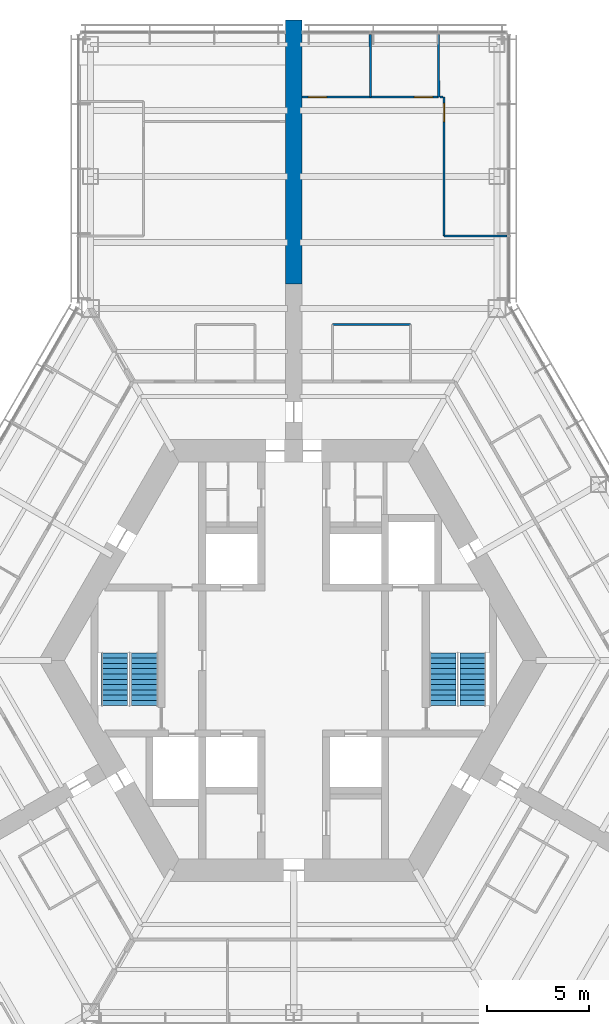
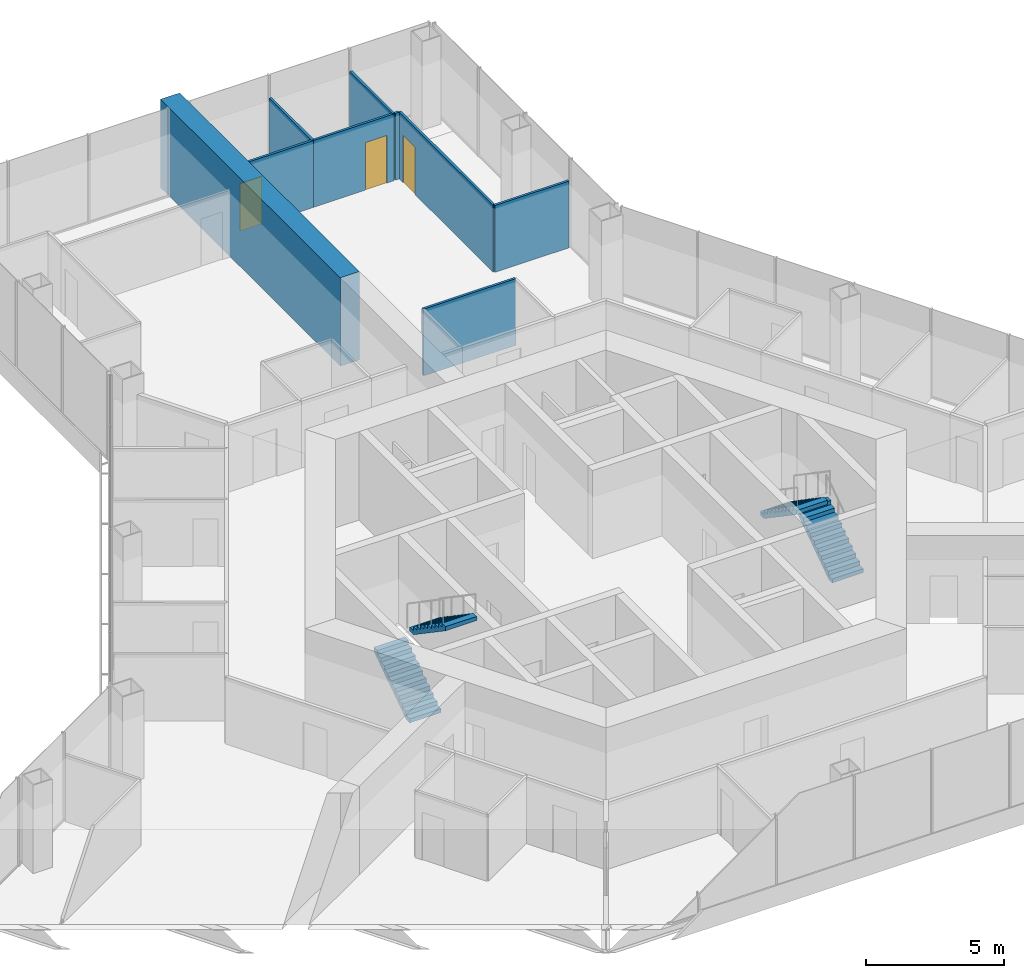
# One storey, part 16 of 19: 9 walls, 4 stair flights, 3 doors, 3 openings, 2 elements without a shape of their own.
"""IFC4 building model written with IfcOpenShell, lengths in metres."""

from ifc_helpers import new_model, si_unit, direction, frame, frame_2d, origin, place, context, subcontext, project, spatial, polyline, rectangle, outline, extrude, material, layer, layer_set, type_object, element, fill, aggregate, save


model = new_model("IFC4")

# Units and contexts
model_context = context("Model", 3, precision=1e-05, world=origin(), true_north=direction((0.0, 1.0)))
body_context = subcontext(model_context, "Body", "Model", "MODEL_VIEW")
ifc_project = project(units=[si_unit("LENGTHUNIT", "METRE"), si_unit("AREAUNIT", "SQUARE_METRE"), si_unit("VOLUMEUNIT", "CUBIC_METRE"), si_unit("PLANEANGLEUNIT", "RADIAN"), si_unit("MASSUNIT", "GRAM", prefix="KILO")], contexts=[model_context])

# Site, building, storey
site_placement = place(None, origin())
site = spatial("IfcSite", under=ifc_project, at=site_placement, CompositionType="ELEMENT")
building_placement = place(site_placement, origin())
building = spatial("IfcBuilding", under=site, at=building_placement, Name="Kasaneha Research Tower", CompositionType="ELEMENT")
storey_placement = place(building_placement, frame((0.0, 0.0, 104.10009765625)))
storey = spatial("IfcBuildingStorey", under=building, at=storey_placement, Name="L26", CompositionType="ELEMENT", Elevation=104.10009765625)

# Walls
ifc_material_1 = material(Name="Gypsum board on steel studs, one layer each side", Category="steel")
ifc_layer_1 = layer(ifc_material_1, 0.10009765625)
ifc_layer_set_1 = layer_set([ifc_layer_1], Name="Office partition 100")
wall_type_1 = type_object("IfcWallType", Name="Office partition 100", PredefinedType="PARTITIONING", material=ifc_layer_set_1)
wall_1_placement = place(storey_placement, frame((1.89990234375, 16.52490234375, 0.0), z_axis=(0.0, 0.0, 1.0), x_axis=(1.0, 0.0, 0.0)))
element("IfcWall", 1, at=wall_1_placement, inside=storey, type_object=wall_type_1, Name="Office partition FAE09 L26", PredefinedType="PARTITIONING", context=body_context, shape_type="SweptSolid", body=[
    extrude(rectangle(XDim=3.857177734375, YDim=0.10009765625, at=frame_2d((1.9287109375, 0.0))), origin(), (0.0, 0.0, 1.0), 2.949951171875),
])
wall_2_placement = place(storey_placement, frame((7.13818359375, 27.719970703125, 0.0), z_axis=(0.0, 0.0, 1.0), x_axis=(-0.001426532072, 0.999998982503, 0.0)))
element("IfcWall", 2, at=wall_2_placement, inside=storey, type_object=wall_type_1, Name="Office partition FAE15 L26", PredefinedType="PARTITIONING", context=body_context, shape_type="SweptSolid", body=[
    extrude(rectangle(XDim=3.08056640625, YDim=0.10009765625, at=frame_2d((1.540283203125, 0.0))), origin(), (0.0, 0.0, 1.0), 2.949951171875),
])

# Wall, opening, door
wall_3_placement = place(storey_placement, frame((7.39990234375, 20.89111328125, 0.0), z_axis=(0.0, 0.0, 1.0), x_axis=(-0.00014301548, 0.999999989773, 0.0)))
wall_3 = element("IfcWall", 3, at=wall_3_placement, inside=storey, type_object=wall_type_1, Name="Office partition FAE16 L26", PredefinedType="PARTITIONING", context=body_context, shape_type="SweptSolid", body=[
    extrude(rectangle(XDim=6.828369140625, YDim=0.10009765625, at=frame_2d((3.4140625, 0.0))), origin(), (0.0, 0.0, 1.0), 2.949951171875),
])
opening_1_placement = place(wall_3_placement, frame((5.62841796875, 0.0, 0.0)))
opening_1 = element("IfcOpeningElement", 4, at=opening_1_placement, cuts=wall_3, Name="Opening L26-D31", PredefinedType="OPENING", context=body_context, shape_type="SweptSolid", body=[
    extrude(rectangle(XDim=0.89990234375, YDim=2.10009765625, at=frame_2d((0.449951171875, 1.050048828125))), frame((0.0, 0.06005859375, 0.0), z_axis=(0.0, -1.0, 0.0), x_axis=(1.0, 0.0, 0.0)), (0.0, 0.0, 1.0), 0.1201171875),
])
ifc_material_2 = material(Name="Timber veneer", Category="wood")
door_type = type_object("IfcDoorType", Name="Office door 900x2100", OperationType="SINGLE_SWING_LEFT", PredefinedType="DOOR", material=ifc_material_2)
door_1_placement = place(opening_1_placement, origin())
door_1 = element("IfcDoor", 5, at=door_1_placement, inside=storey, type_object=door_type, Name="Manager's office door L26-D31", OperationType="SINGLE_SWING_RIGHT", OverallHeight=2.10009765625, OverallWidth=0.89990234375, PredefinedType="DOOR", context=body_context, shape_type="SweptSolid", body=[
    extrude(rectangle(XDim=0.89990234375, YDim=2.10009765625, at=frame_2d((0.449951171875, 1.050048828125))), frame((0.0, 0.02490234375, 0.0), z_axis=(0.0, -1.0, 0.0), x_axis=(1.0, 0.0, 0.0)), (0.0, 0.0, 1.0), 0.050048828125),
])
fill(opening_1, door_1)

# Walls
wall_4_placement = place(storey_placement, frame((10.5, 20.89111328125, 0.0), z_axis=(0.0, 0.0, 1.0), x_axis=(-1.0, 0.0, 0.0)))
element("IfcWall", 6, at=wall_4_placement, inside=storey, type_object=wall_type_1, Name="Office partition FAE17 L26", PredefinedType="PARTITIONING", context=body_context, shape_type="SweptSolid", body=[
    extrude(rectangle(XDim=3.10009765625, YDim=0.10009765625, at=frame_2d((1.550048828125, 0.0))), origin(), (0.0, 0.0, 1.0), 2.949951171875),
])
wall_5_placement = place(storey_placement, frame((3.771728515625, 27.720458984375, 0.0), z_axis=(0.0, 0.0, 1.0), x_axis=(-0.001664550643, 0.999998614635, 0.0)))
element("IfcWall", 7, at=wall_5_placement, inside=storey, type_object=wall_type_1, Name="Office partition FAE18 L26", PredefinedType="PARTITIONING", context=body_context, shape_type="SweptSolid", body=[
    extrude(rectangle(XDim=3.080078125, YDim=0.10009765625, at=frame_2d((1.5400390625, 0.0))), origin(), (0.0, 0.0, 1.0), 2.949951171875),
])

# Wall, opening, door
wall_6_placement = place(storey_placement, frame((7.13330078125, 27.724609375, 0.0), z_axis=(0.0, 0.0, 1.0), x_axis=(-0.999999997371, 7.2516316e-05, 0.0)))
wall_6 = element("IfcWall", 8, at=wall_6_placement, inside=storey, type_object=wall_type_1, Name="Office partition FAE19 L26", PredefinedType="PARTITIONING", context=body_context, shape_type="SweptSolid", body=[
    extrude(rectangle(XDim=3.36669921875, YDim=0.10009765625, at=frame_2d((1.683349609375, 0.0))), origin(), (0.0, 0.0, 1.0), 2.949951171875),
])
opening_2_placement = place(wall_6_placement, frame((0.300048828125, 0.0, 0.0)))
opening_2 = element("IfcOpeningElement", 9, at=opening_2_placement, cuts=wall_6, Name="Opening L26-D32", PredefinedType="OPENING", context=body_context, shape_type="SweptSolid", body=[
    extrude(rectangle(XDim=0.89990234375, YDim=2.10009765625, at=frame_2d((0.449951171875, 1.050048828125))), frame((0.0, 0.06005859375, 0.0), z_axis=(0.0, -1.0, 0.0), x_axis=(1.0, 0.0, 0.0)), (0.0, 0.0, 1.0), 0.1201171875),
])
door_2_placement = place(opening_2_placement, origin())
door_2 = element("IfcDoor", 10, at=door_2_placement, inside=storey, type_object=door_type, Name="Manager's office door L26-D32", OperationType="SINGLE_SWING_LEFT", OverallHeight=2.10009765625, OverallWidth=0.89990234375, PredefinedType="DOOR", context=body_context, shape_type="SweptSolid", body=[
    extrude(rectangle(XDim=0.89990234375, YDim=2.10009765625, at=frame_2d((0.449951171875, 1.050048828125))), frame((0.0, 0.02490234375, 0.0), z_axis=(0.0, -1.0, 0.0), x_axis=(1.0, 0.0, 0.0)), (0.0, 0.0, 1.0), 0.050048828125),
])
fill(opening_2, door_2)

wall_7_placement = place(storey_placement, frame((3.7666015625, 27.724853515625, 0.0), z_axis=(0.0, 0.0, 1.0), x_axis=(-0.999999137883, -0.001313100706, 0.0)))
wall_7 = element("IfcWall", 11, at=wall_7_placement, inside=storey, type_object=wall_type_1, Name="Office partition FAE20 L26", PredefinedType="PARTITIONING", context=body_context, shape_type="SweptSolid", body=[
    extrude(rectangle(XDim=3.3466796875, YDim=0.10009765625, at=frame_2d((1.67333984375, 0.0))), origin(), (0.0, 0.0, 1.0), 2.949951171875),
])
opening_3_placement = place(wall_7_placement, frame((2.146728515625, 0.0, 0.0)))
opening_3 = element("IfcOpeningElement", 12, at=opening_3_placement, cuts=wall_7, Name="Opening L26-D33", PredefinedType="OPENING", context=body_context, shape_type="SweptSolid", body=[
    extrude(rectangle(XDim=0.89990234375, YDim=2.10009765625, at=frame_2d((0.449951171875, 1.050048828125))), frame((0.0, 0.06005859375, 0.0), z_axis=(0.0, -1.0, 0.0), x_axis=(1.0, 0.0, 0.0)), (0.0, 0.0, 1.0), 0.1201171875),
])
door_3_placement = place(opening_3_placement, origin())
door_3 = element("IfcDoor", 13, at=door_3_placement, inside=storey, type_object=door_type, Name="Manager's office door L26-D33", OperationType="SINGLE_SWING_RIGHT", OverallHeight=2.10009765625, OverallWidth=0.89990234375, PredefinedType="DOOR", context=body_context, shape_type="SweptSolid", body=[
    extrude(rectangle(XDim=0.89990234375, YDim=2.10009765625, at=frame_2d((0.449951171875, 1.050048828125))), frame((0.0, 0.02490234375, 0.0), z_axis=(0.0, -1.0, 0.0), x_axis=(1.0, 0.0, 0.0)), (0.0, 0.0, 1.0), 0.050048828125),
])
fill(opening_3, door_3)

# Walls
wall_8_placement = place(storey_placement, frame((7.34912109375, 27.7197265625, 0.0), z_axis=(0.0, 0.0, 1.0), x_axis=(-0.999998848674, 0.001517448936, 0.0)))
element("IfcWall", 14, at=wall_8_placement, inside=storey, type_object=wall_type_1, Name="Office partition closer PT5 L26", PredefinedType="PARTITIONING", context=body_context, shape_type="SweptSolid", body=[
    extrude(rectangle(XDim=0.160888671875, YDim=0.10009765625, at=frame_2d((0.08056640625, 0.0))), origin(), (0.0, 0.0, 1.0), 2.949951171875),
])
ifc_material_3 = material(Name="Concrete Fc80", Category="concrete")
ifc_layer_2 = layer(ifc_material_3, 0.800048828125)
ifc_layer_set_2 = layer_set([ifc_layer_2], Name="Spine wall 800 Fc80")
wall_type_2 = type_object("IfcWallType", Name="Spine wall 800 Fc80", PredefinedType="SHEAR", material=ifc_layer_set_2)
wall_9_placement = place(storey_placement, frame((0.0, 18.5205078125, 0.0), z_axis=(0.0, 0.0, 1.0), x_axis=(0.0, 1.0, 0.0)))
element("IfcWall", 15, at=wall_9_placement, inside=storey, type_object=wall_type_2, Name="Spine wall A wing L26", PredefinedType="SHEAR", context=body_context, shape_type="SweptSolid", body=[
    extrude(rectangle(XDim=13.0, YDim=0.800048828125, at=frame_2d((6.5, 0.0))), origin(), (0.0, 0.0, 1.0), 3.89990234375),
])

# Stair, stair flights
ifc_material_4 = material(Name="Concrete Fc24", Category="concrete")
stair_type = type_object("IfcStairType", Name="Half-turn stair 22 risers", PredefinedType="HALF_TURN_STAIR", material=ifc_material_4)
stair_1_placement = place(storey_placement, origin())
stair_1 = element("IfcStair", 16, at=stair_1_placement, inside=storey, type_object=stair_type, Name="Stair 1 L26", PredefinedType="HALF_TURN_STAIR")
ifc_material_5 = material(Name="Concrete Fc24", Category="concrete")
stair_flight_type = type_object("IfcStairFlightType", Name="Stair flight 11 risers 177.3", PredefinedType="STRAIGHT", material=ifc_material_5)
stair_flight_1_placement = place(storey_placement, frame((8.824951171875, -2.22509765625, 0.0), z_axis=(0.0, 0.0, 1.0), x_axis=(0.0, 1.0, 0.0)))
stair_flight_1 = element("IfcStairFlight", 17, at=stair_flight_1_placement, type_object=stair_flight_type, Name="ST1-22R flight 1", NumberOfRisers=11, NumberOfTreads=10, PredefinedType="STRAIGHT", RiserHeight=0.177272727, TreadLength=0.26, context=body_context, shape_type="SweptSolid", body=[
    extrude(outline(polyline([(0.0, 0.0), (0.0, 0.17724609375), (0.260009765625, 0.17724609375), (0.260009765625, 0.3544921875), (0.52001953125, 0.3544921875), (0.52001953125, 0.53173828125), (0.780029296875, 0.53173828125), (0.780029296875, 0.708984375), (1.0400390625, 0.708984375), (1.0400390625, 0.886474609375), (1.300048828125, 0.886474609375), (1.300048828125, 1.063720703125), (1.56005859375, 1.063720703125), (1.56005859375, 1.240966796875), (1.820068359375, 1.240966796875), (1.820068359375, 1.418212890625), (2.080078125, 1.418212890625), (2.080078125, 1.595458984375), (2.340087890625, 1.595458984375), (2.340087890625, 1.772705078125), (2.60009765625, 1.772705078125), (2.60009765625, 1.949951171875), (2.60009765625, 1.59130859375), (0.26611328125, 0.0), (0.0, 0.0)])), frame((0.0, 0.64990234375, 0.0), z_axis=(0.0, -1.0, 0.0), x_axis=(1.0, 0.0, 0.0)), (0.0, 0.0, 1.0), 1.300048828125),
])
stair_flight_2_placement = place(storey_placement, frame((7.324951171875, 0.375, 1.949951171875), z_axis=(0.0, 0.0, 1.0), x_axis=(0.0, -1.0, 0.0)))
stair_flight_2 = element("IfcStairFlight", 18, at=stair_flight_2_placement, type_object=stair_flight_type, Name="ST1-22R flight 2", NumberOfRisers=11, NumberOfTreads=10, PredefinedType="STRAIGHT", RiserHeight=0.177272727, TreadLength=0.26, context=body_context, shape_type="SweptSolid", body=[
    extrude(outline(polyline([(0.0, 0.0), (0.0, 0.17724609375), (0.260009765625, 0.17724609375), (0.260009765625, 0.3544921875), (0.52001953125, 0.3544921875), (0.52001953125, 0.53173828125), (0.780029296875, 0.53173828125), (0.780029296875, 0.708984375), (1.0400390625, 0.708984375), (1.0400390625, 0.886474609375), (1.300048828125, 0.886474609375), (1.300048828125, 1.063720703125), (1.56005859375, 1.063720703125), (1.56005859375, 1.240966796875), (1.820068359375, 1.240966796875), (1.820068359375, 1.418212890625), (2.080078125, 1.418212890625), (2.080078125, 1.595458984375), (2.340087890625, 1.595458984375), (2.340087890625, 1.772705078125), (2.60009765625, 1.772705078125), (2.60009765625, 1.949951171875), (2.60009765625, 1.59130859375), (0.26611328125, 0.0), (0.0, 0.0)])), frame((0.0, 0.64990234375, 0.0), z_axis=(0.0, -1.0, 0.0), x_axis=(1.0, 0.0, 0.0)), (0.0, 0.0, 1.0), 1.300048828125),
])
aggregate(stair_1, [stair_flight_1, stair_flight_2])

stair_2_placement = place(storey_placement, origin())
stair_2 = element("IfcStair", 19, at=stair_2_placement, inside=storey, type_object=stair_type, Name="Stair 2 L26", PredefinedType="HALF_TURN_STAIR")
stair_flight_3_placement = place(storey_placement, frame((-8.824951171875, -2.22509765625, 0.0), z_axis=(0.0, 0.0, 1.0), x_axis=(0.0, 1.0, 0.0)))
stair_flight_3 = element("IfcStairFlight", 20, at=stair_flight_3_placement, type_object=stair_flight_type, Name="ST2-22R flight 1", NumberOfRisers=11, NumberOfTreads=10, PredefinedType="STRAIGHT", RiserHeight=0.177272727, TreadLength=0.26, context=body_context, shape_type="SweptSolid", body=[
    extrude(outline(polyline([(0.0, 0.0), (0.0, 0.17724609375), (0.260009765625, 0.17724609375), (0.260009765625, 0.3544921875), (0.52001953125, 0.3544921875), (0.52001953125, 0.53173828125), (0.780029296875, 0.53173828125), (0.780029296875, 0.708984375), (1.0400390625, 0.708984375), (1.0400390625, 0.886474609375), (1.300048828125, 0.886474609375), (1.300048828125, 1.063720703125), (1.56005859375, 1.063720703125), (1.56005859375, 1.240966796875), (1.820068359375, 1.240966796875), (1.820068359375, 1.418212890625), (2.080078125, 1.418212890625), (2.080078125, 1.595458984375), (2.340087890625, 1.595458984375), (2.340087890625, 1.772705078125), (2.60009765625, 1.772705078125), (2.60009765625, 1.949951171875), (2.60009765625, 1.59130859375), (0.26611328125, 0.0), (0.0, 0.0)])), frame((0.0, 0.64990234375, 0.0), z_axis=(0.0, -1.0, 0.0), x_axis=(1.0, 0.0, 0.0)), (0.0, 0.0, 1.0), 1.300048828125),
])
stair_flight_4_placement = place(storey_placement, frame((-7.324951171875, 0.375, 1.949951171875), z_axis=(0.0, 0.0, 1.0), x_axis=(0.0, -1.0, 0.0)))
stair_flight_4 = element("IfcStairFlight", 21, at=stair_flight_4_placement, type_object=stair_flight_type, Name="ST2-22R flight 2", NumberOfRisers=11, NumberOfTreads=10, PredefinedType="STRAIGHT", RiserHeight=0.177272727, TreadLength=0.26, context=body_context, shape_type="SweptSolid", body=[
    extrude(outline(polyline([(0.0, 0.0), (0.0, 0.17724609375), (0.260009765625, 0.17724609375), (0.260009765625, 0.3544921875), (0.52001953125, 0.3544921875), (0.52001953125, 0.53173828125), (0.780029296875, 0.53173828125), (0.780029296875, 0.708984375), (1.0400390625, 0.708984375), (1.0400390625, 0.886474609375), (1.300048828125, 0.886474609375), (1.300048828125, 1.063720703125), (1.56005859375, 1.063720703125), (1.56005859375, 1.240966796875), (1.820068359375, 1.240966796875), (1.820068359375, 1.418212890625), (2.080078125, 1.418212890625), (2.080078125, 1.595458984375), (2.340087890625, 1.595458984375), (2.340087890625, 1.772705078125), (2.60009765625, 1.772705078125), (2.60009765625, 1.949951171875), (2.60009765625, 1.59130859375), (0.26611328125, 0.0), (0.0, 0.0)])), frame((0.0, 0.64990234375, 0.0), z_axis=(0.0, -1.0, 0.0), x_axis=(1.0, 0.0, 0.0)), (0.0, 0.0, 1.0), 1.300048828125),
])
aggregate(stair_2, [stair_flight_3, stair_flight_4])

save(model, "model.ifc")
